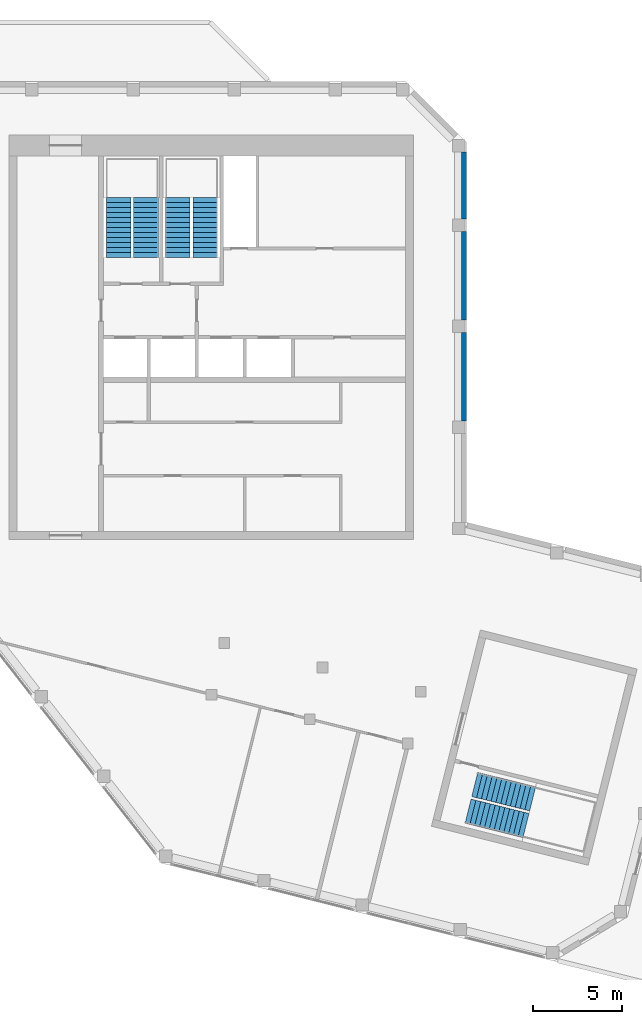
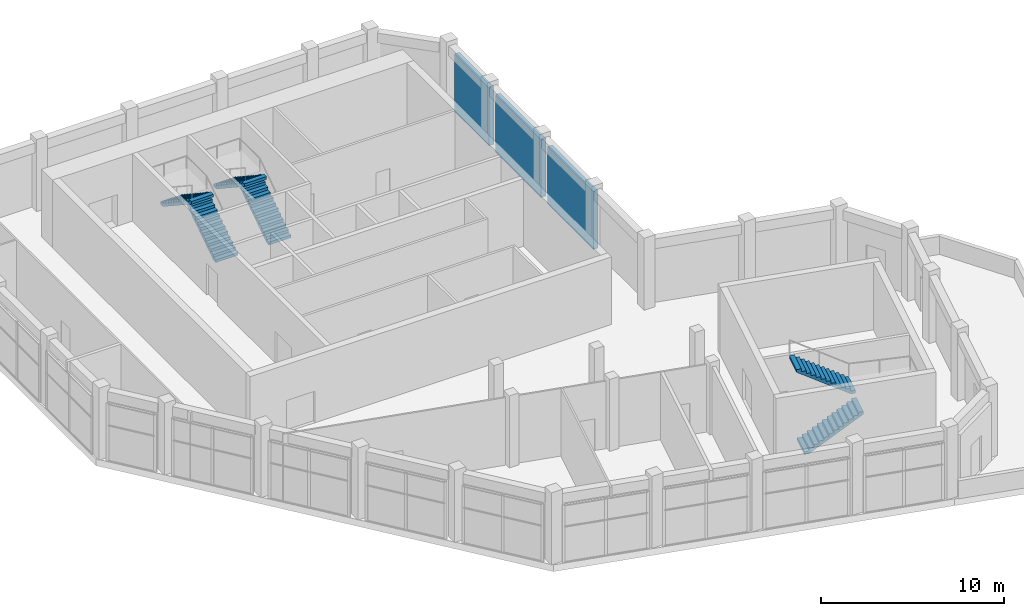
# One storey, part 9 of 10: 6 stair flights, 3 walls, 3 elements without a shape of their own.
"""IFC4 building model written with IfcOpenShell, lengths in metres."""

import ifcopenshell
import ifcopenshell.guid

model = None  # the IFC model being written
_history = None  # IfcOwnerHistory: only IFC2X3 demands one
_inside = {}  # id of a spatial element -> (the spatial element, [elements in it])
_under = {}  # id of a project, library or spatial element -> (it, [spatial elements below it])
_declared = {}  # id of a project -> (the project, [libraries it declares])
_typed = {}  # id of a type object -> (the type object, [elements of that type])
_made_of = {}  # id of a material, layer set ... -> (it, [elements and type objects made of it])


def new_model(schema):
    """Start an empty IFC model of exactly this schema.

    Asked for "IFC4X3", IfcOpenShell would pick the latest addendum, in which some entities
    have other attributes; the version numbers below select the first issue.
    IFC2X3 requires an IfcOwnerHistory on every rooted entity: one is made here for all.
    """
    global model, _history
    if schema == "IFC4X3":
        model = ifcopenshell.file(schema_version=(4, 3, 0, 0))
    else:
        model = ifcopenshell.file(schema=schema)
    _inside.clear()
    _under.clear()
    _declared.clear()
    _typed.clear()
    _made_of.clear()
    _history = None
    if model.schema == "IFC2X3":
        org = make("IfcOrganization", Name="unknown")
        user = make(
            "IfcPersonAndOrganization",
            ThePerson=make("IfcPerson", FamilyName="unknown"),
            TheOrganization=org,
        )
        app = make(
            "IfcApplication",
            ApplicationDeveloper=org,
            Version="unknown",
            ApplicationFullName="unknown",
            ApplicationIdentifier="unknown",
        )
        _history = make(
            "IfcOwnerHistory",
            OwningUser=user,
            OwningApplication=app,
            ChangeAction="ADDED",
            CreationDate=0,
        )
    return model


def make(cls, **values):
    """One entity of the class cls with the attributes given. An attribute that is None is left unset."""
    return model.create_entity(
        cls, **{name: value for name, value in values.items() if value is not None}
    )


def rooted(cls, **values):
    """An entity with a GlobalId (a new one), such as an element, a storey or a relation."""
    return make(cls, GlobalId=ifcopenshell.guid.new(), OwnerHistory=_history, **values)


def si_unit(unit_type, name, prefix=None):
    """IfcSIUnit, for example si_unit("LENGTHUNIT", "METRE", prefix="MILLI")."""
    return make("IfcSIUnit", UnitType=unit_type, Prefix=prefix, Name=name)


def assignment(units):
    """IfcUnitAssignment: the units of a project."""
    return None if units is None else make("IfcUnitAssignment", Units=units)


def point(xyz):
    """IfcCartesianPoint."""
    return None if xyz is None else make("IfcCartesianPoint", Coordinates=xyz)


def direction(xyz):
    """IfcDirection."""
    return None if xyz is None else make("IfcDirection", DirectionRatios=xyz)


def frame(location, z_axis=None, x_axis=None):
    """IfcAxis2Placement3D, a coordinate frame: its origin and axes. An axis left out is left unset."""
    return make(
        "IfcAxis2Placement3D",
        Location=point(location),
        Axis=direction(z_axis),
        RefDirection=direction(x_axis),
    )


def frame_2d(location, x_axis=None):
    """IfcAxis2Placement2D, a coordinate frame in the plane: its origin and x axis."""
    return make(
        "IfcAxis2Placement2D", Location=point(location), RefDirection=direction(x_axis)
    )


def origin():
    """The frame at (0, 0, 0) with its axes left unset."""
    return frame((0.0, 0.0, 0.0))


def place(relative_to, where):
    """IfcLocalPlacement: puts the frame where relative to a parent placement (None: the world)."""
    return make(
        "IfcLocalPlacement", PlacementRelTo=relative_to, RelativePlacement=where
    )


def context(
    kind, dimensions, precision=None, world=None, true_north=None, identifier=None
):
    """IfcGeometricRepresentationContext, for example the 3D "Model" context."""
    return make(
        "IfcGeometricRepresentationContext",
        ContextIdentifier=identifier,
        ContextType=kind,
        CoordinateSpaceDimension=dimensions,
        Precision=precision,
        WorldCoordinateSystem=world,
        TrueNorth=true_north,
    )


def subcontext(parent, identifier, kind, view, scale=None):
    """IfcGeometricRepresentationSubContext, for example "Body" below "Model"."""
    return make(
        "IfcGeometricRepresentationSubContext",
        ContextIdentifier=identifier,
        ContextType=kind,
        ParentContext=parent,
        TargetScale=scale,
        TargetView=view,
    )


def project(units=None, contexts=None):
    """IfcProject with its units and contexts."""
    return rooted(
        "IfcProject",
        Name="project",
        RepresentationContexts=contexts,
        UnitsInContext=assignment(units),
    )


def spatial(cls, under=None, at=None, **own):
    """A site, building, storey or space (cls), placed at a placement, below another one or the project."""
    s = rooted(cls, ObjectPlacement=at, **own)
    if under is not None:
        _under.setdefault(under.id(), (under, []))[1].append(s)
    return s


def polyline(points):
    """IfcPolyline through the points."""
    return make("IfcPolyline", Points=[point(p) for p in points])


def profile(cls, at=None, kind="AREA", **sizes):
    """A parametric profile (cls). Its sizes go by their IFC names, for example OverallWidth=200.0."""
    return make(cls, ProfileType=kind, Position=at, **sizes)


def rectangle(**sizes):
    """IfcRectangleProfileDef."""
    return profile("IfcRectangleProfileDef", **sizes)


def outline(outer, holes=None, kind="AREA"):
    """IfcArbitraryClosedProfileDef: a profile drawn as a closed curve; with holes, ...WithVoids."""
    if holes is None:
        return make("IfcArbitraryClosedProfileDef", ProfileType=kind, OuterCurve=outer)
    return make(
        "IfcArbitraryProfileDefWithVoids",
        ProfileType=kind,
        OuterCurve=outer,
        InnerCurves=holes,
    )


def extrude(swept, where, along, depth):
    """IfcExtrudedAreaSolid: the profile swept, set in the frame where, extruded along a direction by depth."""
    return make(
        "IfcExtrudedAreaSolid",
        SweptArea=swept,
        Position=where,
        ExtrudedDirection=direction(along),
        Depth=depth,
    )


def shape(context_of_items, identifier, shape_type, items):
    """IfcShapeRepresentation: the items that make up one representation, for example the "Body"."""
    return make(
        "IfcShapeRepresentation",
        ContextOfItems=context_of_items,
        RepresentationIdentifier=identifier,
        RepresentationType=shape_type,
        Items=items,
    )


def material(Name=None, Category=None):
    """IfcMaterial."""
    return make("IfcMaterial", Name=Name, Category=Category)


def layer(
    of_material, thickness, ventilated=None, Name=None, Category=None, Priority=None
):
    """IfcMaterialLayer: one layer of a wall or slab, of a material (None: an air gap)."""
    return make(
        "IfcMaterialLayer",
        Material=of_material,
        LayerThickness=thickness,
        IsVentilated=ventilated,
        Name=Name,
        Category=Category,
        Priority=Priority,
    )


def layer_set(layers, Name=None):
    """IfcMaterialLayerSet."""
    return make("IfcMaterialLayerSet", MaterialLayers=layers, LayerSetName=Name)


def made_of(thing, what):
    """Note that an element or type object is made of a material, layer set ...; save() writes the relation."""
    if what is not None:
        _made_of.setdefault(what.id(), (what, []))[1].append(thing)
    return thing


def type_object(cls, material=None, **own):
    """A type object (cls), such as IfcWallType, which elements share."""
    return made_of(rooted(cls, **own), material)


def element(
    cls,
    number,
    at=None,
    inside=None,
    cuts=None,
    type_object=None,
    material=None,
    context=None,
    identifier="Body",
    shape_type=None,
    held_by="IfcProductDefinitionShape",
    body=None,
    shapes=None,
    **own,
):
    """One element of the class cls, such as IfcWall. Its Tag is "e" and its number.

    at: its placement. inside: the storey or other place that contains it. cuts: it is an
    opening in that element (IfcRelVoidsElement). A single representation is given by context,
    identifier, shape_type and body (its items); several are given by shapes. held_by: the class
    of the entity that holds the representations. save() writes the other relations.
    """
    e = rooted(cls, Tag="e%d" % number, ObjectPlacement=at, **own)
    if body is not None:
        shapes = [shape(context, identifier, shape_type, body)]
    if shapes is not None:
        e.Representation = make(held_by, Representations=shapes)
    if inside is not None:
        _inside.setdefault(inside.id(), (inside, []))[1].append(e)
    if cuts is not None:
        rooted(
            "IfcRelVoidsElement", RelatingBuildingElement=cuts, RelatedOpeningElement=e
        )
    if type_object is not None:
        _typed.setdefault(type_object.id(), (type_object, []))[1].append(e)
    return made_of(e, material)


def aggregate(whole, parts):
    """IfcRelAggregates: a whole, such as a stair, and the parts it consists of."""
    return rooted("IfcRelAggregates", RelatingObject=whole, RelatedObjects=parts)


def save(model, path):
    """Write the relations noted so far, then the file.

    IfcRelAggregates (storeys below a building ...), IfcRelContainedInSpatialStructure (elements
    in a storey), IfcRelDefinesByType, IfcRelAssociatesMaterial and IfcRelDeclares: one each for
    every whole, place, type object, material and project.
    """
    for whole, parts in _under.values():
        aggregate(whole, parts)
    for where, things in _inside.values():
        rooted(
            "IfcRelContainedInSpatialStructure",
            RelatedElements=things,
            RelatingStructure=where,
        )
    for kind, things in _typed.values():
        rooted("IfcRelDefinesByType", RelatedObjects=things, RelatingType=kind)
    for what, things in _made_of.values():
        rooted("IfcRelAssociatesMaterial", RelatedObjects=things, RelatingMaterial=what)
    for by, libraries in _declared.values():
        rooted("IfcRelDeclares", RelatingContext=by, RelatedDefinitions=libraries)
    model.write(path)


model = new_model("IFC4")

# Units and contexts
model_context = context("Model", 3, precision=1e-05, world=origin(), true_north=direction((0.0, 1.0)))
body_context = subcontext(model_context, "Body", "Model", "MODEL_VIEW")
ifc_project = project(units=[si_unit("LENGTHUNIT", "METRE"), si_unit("AREAUNIT", "SQUARE_METRE"), si_unit("VOLUMEUNIT", "CUBIC_METRE"), si_unit("PLANEANGLEUNIT", "RADIAN"), si_unit("MASSUNIT", "GRAM", prefix="KILO")], contexts=[model_context])

# Site, building, storey
site_placement = place(None, origin())
site = spatial("IfcSite", under=ifc_project, at=site_placement, CompositionType="ELEMENT")
building_placement = place(site_placement, origin())
building = spatial("IfcBuilding", under=site, at=building_placement, Name="Meshkara Civic Tower", CompositionType="ELEMENT")
storey_placement = place(building_placement, frame((0.0, 0.0, 419.39990234375)))
storey = spatial("IfcBuildingStorey", under=building, at=storey_placement, Name="L96 Crown", CompositionType="ELEMENT", Elevation=419.39990234375)

# Walls
ifc_material_1 = material(Name="Insulated infill panel with bronze anodised aluminium cladding", Category="aluminium")
ifc_layer = layer(ifc_material_1, 0.300048828125)
ifc_layer_set = layer_set([ifc_layer], Name="CROWN WALL 300")
wall_type = type_object("IfcWallType", Name="CROWN WALL 300", PredefinedType="SOLIDWALL", material=ifc_layer_set)
for number, where, z_axis, x_axis, name in (
    (1, (33.64990234375, 20.76904296875, 0.0), (0.0, 0.0, 1.0), (0.0, 1.0, 0.0), "Crown external wall"),
    (2, (33.64990234375, 26.468994140625, 0.0), (0.0, 0.0, 1.0), (0.0, 1.0, 0.0), "Crown external wall"),
):
    element("IfcWall", number, at=place(storey_placement, frame(where, z_axis=z_axis, x_axis=x_axis)), inside=storey, type_object=wall_type, Name=name, PredefinedType="SOLIDWALL", context=body_context, shape_type="SweptSolid", body=[
        extrude(rectangle(XDim=5.0, YDim=0.300048828125, at=frame_2d((2.5, 0.0))), origin(), (0.0, 0.0, 1.0), 3.85009765625),
    ])
wall_placement = place(storey_placement, frame((33.64990234375, 32.1689453125, 0.0), z_axis=(0.0, 0.0, 1.0), x_axis=(0.0, 1.0, 0.0)))
element("IfcWall", 3, at=wall_placement, inside=storey, type_object=wall_type, Name="Crown external wall", PredefinedType="SOLIDWALL", context=body_context, shape_type="SweptSolid", body=[
    extrude(rectangle(XDim=3.775146484375, YDim=0.300048828125, at=frame_2d((1.8876953125, 0.0))), origin(), (0.0, 0.0, 1.0), 3.85009765625),
])

# Stair, stair flights
ifc_material_2 = material(Name="Precast concrete C40/50", Category="concrete")
stair_type = type_object("IfcStairType", Name="Exit stair half-turn 26 risers precast", PredefinedType="HALF_TURN_STAIR", material=ifc_material_2)
stair_1_placement = place(storey_placement, origin())
stair_1 = element("IfcStair", 4, at=stair_1_placement, inside=storey, type_object=stair_type, Name="L96 Crown exit stair 1", PredefinedType="HALF_TURN_STAIR")
ifc_material_3 = material(Name="Precast concrete C40/50", Category="concrete")
stair_flight_type = type_object("IfcStairFlightType", Name="Exit stair flight 13 risers precast", PredefinedType="STRAIGHT", material=ifc_material_3)
stair_flight_1_placement = place(storey_placement, frame((15.72509765625, 30.0, 0.0), z_axis=(0.0, 0.0, 1.0), x_axis=(0.0, 1.0, 0.0)))
stair_flight_1 = element("IfcStairFlight", 5, at=stair_flight_1_placement, type_object=stair_flight_type, Name="ST1 flight 1", NumberOfRisers=13, NumberOfTreads=12, PredefinedType="STRAIGHT", RiserHeight=0.184615385, TreadLength=0.28, context=body_context, shape_type="SweptSolid", body=[
    extrude(outline(polyline([(0.0, 0.0), (0.0, 0.1845703125), (0.280029296875, 0.1845703125), (0.280029296875, 0.369140625), (0.56005859375, 0.369140625), (0.56005859375, 0.553955078125), (0.840087890625, 0.553955078125), (0.840087890625, 0.738525390625), (1.1201171875, 0.738525390625), (1.1201171875, 0.923095703125), (1.39990234375, 0.923095703125), (1.39990234375, 1.107666015625), (1.679931640625, 1.107666015625), (1.679931640625, 1.292236328125), (1.9599609375, 1.292236328125), (1.9599609375, 1.476806640625), (2.239990234375, 1.476806640625), (2.239990234375, 1.66162109375), (2.52001953125, 1.66162109375), (2.52001953125, 1.84619140625), (2.800048828125, 1.84619140625), (2.800048828125, 2.03076171875), (3.080078125, 2.03076171875), (3.080078125, 2.21533203125), (3.360107421875, 2.21533203125), (3.360107421875, 2.39990234375), (3.360107421875, 2.035888671875), (0.272216796875, 0.0), (0.0, 0.0)])), frame((0.0, 0.699951171875, 0.0), z_axis=(0.0, -1.0, 0.0), x_axis=(1.0, 0.0, 0.0)), (0.0, 0.0, 1.0), 1.39990234375),
])
stair_flight_2_placement = place(storey_placement, frame((14.175048828125, 33.360107421875, 2.400146484375), z_axis=(0.0, 0.0, 1.0), x_axis=(0.0, -1.0, 0.0)))
stair_flight_2 = element("IfcStairFlight", 6, at=stair_flight_2_placement, type_object=stair_flight_type, Name="ST1 flight 2", NumberOfRisers=13, NumberOfTreads=12, PredefinedType="STRAIGHT", RiserHeight=0.184615385, TreadLength=0.28, context=body_context, shape_type="SweptSolid", body=[
    extrude(outline(polyline([(0.0, 0.0), (0.0, 0.1845703125), (0.280029296875, 0.1845703125), (0.280029296875, 0.369140625), (0.56005859375, 0.369140625), (0.56005859375, 0.553955078125), (0.840087890625, 0.553955078125), (0.840087890625, 0.738525390625), (1.1201171875, 0.738525390625), (1.1201171875, 0.923095703125), (1.39990234375, 0.923095703125), (1.39990234375, 1.107666015625), (1.679931640625, 1.107666015625), (1.679931640625, 1.292236328125), (1.9599609375, 1.292236328125), (1.9599609375, 1.476806640625), (2.239990234375, 1.476806640625), (2.239990234375, 1.66162109375), (2.52001953125, 1.66162109375), (2.52001953125, 1.84619140625), (2.800048828125, 1.84619140625), (2.800048828125, 2.03076171875), (3.080078125, 2.03076171875), (3.080078125, 2.21533203125), (3.360107421875, 2.21533203125), (3.360107421875, 2.39990234375), (3.360107421875, 2.035888671875), (0.272216796875, 0.0), (0.0, 0.0)])), frame((0.0, 0.699951171875, 0.0), z_axis=(0.0, -1.0, 0.0), x_axis=(1.0, 0.0, 0.0)), (0.0, 0.0, 1.0), 1.39990234375),
])
aggregate(stair_1, [stair_flight_1, stair_flight_2])

stair_2_placement = place(storey_placement, origin())
stair_2 = element("IfcStair", 7, at=stair_2_placement, inside=storey, type_object=stair_type, Name="L96 Crown exit stair 2", PredefinedType="HALF_TURN_STAIR")
stair_flight_3_placement = place(storey_placement, frame((19.074951171875, 30.0, 0.0), z_axis=(0.0, 0.0, 1.0), x_axis=(0.0, 1.0, 0.0)))
stair_flight_3 = element("IfcStairFlight", 8, at=stair_flight_3_placement, type_object=stair_flight_type, Name="ST2 flight 1", NumberOfRisers=13, NumberOfTreads=12, PredefinedType="STRAIGHT", RiserHeight=0.184615385, TreadLength=0.28, context=body_context, shape_type="SweptSolid", body=[
    extrude(outline(polyline([(0.0, 0.0), (0.0, 0.1845703125), (0.280029296875, 0.1845703125), (0.280029296875, 0.369140625), (0.56005859375, 0.369140625), (0.56005859375, 0.553955078125), (0.840087890625, 0.553955078125), (0.840087890625, 0.738525390625), (1.1201171875, 0.738525390625), (1.1201171875, 0.923095703125), (1.39990234375, 0.923095703125), (1.39990234375, 1.107666015625), (1.679931640625, 1.107666015625), (1.679931640625, 1.292236328125), (1.9599609375, 1.292236328125), (1.9599609375, 1.476806640625), (2.239990234375, 1.476806640625), (2.239990234375, 1.66162109375), (2.52001953125, 1.66162109375), (2.52001953125, 1.84619140625), (2.800048828125, 1.84619140625), (2.800048828125, 2.03076171875), (3.080078125, 2.03076171875), (3.080078125, 2.21533203125), (3.360107421875, 2.21533203125), (3.360107421875, 2.39990234375), (3.360107421875, 2.035888671875), (0.272216796875, 0.0), (0.0, 0.0)])), frame((0.0, 0.699951171875, 0.0), z_axis=(0.0, -1.0, 0.0), x_axis=(1.0, 0.0, 0.0)), (0.0, 0.0, 1.0), 1.39990234375),
])
stair_flight_4_placement = place(storey_placement, frame((17.52490234375, 33.360107421875, 2.400146484375), z_axis=(0.0, 0.0, 1.0), x_axis=(0.0, -1.0, 0.0)))
stair_flight_4 = element("IfcStairFlight", 9, at=stair_flight_4_placement, type_object=stair_flight_type, Name="ST2 flight 2", NumberOfRisers=13, NumberOfTreads=12, PredefinedType="STRAIGHT", RiserHeight=0.184615385, TreadLength=0.28, context=body_context, shape_type="SweptSolid", body=[
    extrude(outline(polyline([(0.0, 0.0), (0.0, 0.1845703125), (0.280029296875, 0.1845703125), (0.280029296875, 0.369140625), (0.56005859375, 0.369140625), (0.56005859375, 0.553955078125), (0.840087890625, 0.553955078125), (0.840087890625, 0.738525390625), (1.1201171875, 0.738525390625), (1.1201171875, 0.923095703125), (1.39990234375, 0.923095703125), (1.39990234375, 1.107666015625), (1.679931640625, 1.107666015625), (1.679931640625, 1.292236328125), (1.9599609375, 1.292236328125), (1.9599609375, 1.476806640625), (2.239990234375, 1.476806640625), (2.239990234375, 1.66162109375), (2.52001953125, 1.66162109375), (2.52001953125, 1.84619140625), (2.800048828125, 1.84619140625), (2.800048828125, 2.03076171875), (3.080078125, 2.03076171875), (3.080078125, 2.21533203125), (3.360107421875, 2.21533203125), (3.360107421875, 2.39990234375), (3.360107421875, 2.035888671875), (0.272216796875, 0.0), (0.0, 0.0)])), frame((0.0, 0.699951171875, 0.0), z_axis=(0.0, -1.0, 0.0), x_axis=(1.0, 0.0, 0.0)), (0.0, 0.0, 1.0), 1.39990234375),
])
aggregate(stair_2, [stair_flight_3, stair_flight_4])

stair_3_placement = place(storey_placement, origin())
stair_3 = element("IfcStair", 10, at=stair_3_placement, inside=storey, type_object=stair_type, Name="L96 Crown exit stair B from L96 Crown", PredefinedType="HALF_TURN_STAIR")
stair_flight_5_placement = place(storey_placement, frame((33.885009765625, -1.20751953125, 0.0), z_axis=(0.0, 0.0, 1.0), x_axis=(0.970552679811, -0.240888969675, 0.0)))
stair_flight_5 = element("IfcStairFlight", 11, at=stair_flight_5_placement, type_object=stair_flight_type, Name="ESB9 flight 1", NumberOfRisers=13, NumberOfTreads=12, PredefinedType="STRAIGHT", RiserHeight=0.184615385, TreadLength=0.28, context=body_context, shape_type="SweptSolid", body=[
    extrude(outline(polyline([(0.0, 0.0), (0.0, 0.1845703125), (0.280029296875, 0.1845703125), (0.280029296875, 0.369140625), (0.56005859375, 0.369140625), (0.56005859375, 0.553955078125), (0.840087890625, 0.553955078125), (0.840087890625, 0.738525390625), (1.1201171875, 0.738525390625), (1.1201171875, 0.923095703125), (1.39990234375, 0.923095703125), (1.39990234375, 1.107666015625), (1.679931640625, 1.107666015625), (1.679931640625, 1.292236328125), (1.9599609375, 1.292236328125), (1.9599609375, 1.476806640625), (2.239990234375, 1.476806640625), (2.239990234375, 1.66162109375), (2.52001953125, 1.66162109375), (2.52001953125, 1.84619140625), (2.800048828125, 1.84619140625), (2.800048828125, 2.03076171875), (3.080078125, 2.03076171875), (3.080078125, 2.21533203125), (3.360107421875, 2.21533203125), (3.360107421875, 2.39990234375), (3.360107421875, 2.035888671875), (0.272216796875, 0.0), (0.0, 0.0)])), frame((0.0, 0.699951171875, 0.0), z_axis=(0.0, -1.0, 0.0), x_axis=(1.0, 0.0, 0.0)), (0.0, 0.0, 1.0), 1.39990234375),
])
stair_flight_6_placement = place(storey_placement, frame((37.51953125, -0.512451171875, 2.400146484375), z_axis=(0.0, 0.0, 1.0), x_axis=(-0.970552679811, 0.240888969675, 0.0)))
stair_flight_6 = element("IfcStairFlight", 12, at=stair_flight_6_placement, type_object=stair_flight_type, Name="ESB9 flight 2", NumberOfRisers=13, NumberOfTreads=12, PredefinedType="STRAIGHT", RiserHeight=0.184615385, TreadLength=0.28, context=body_context, shape_type="SweptSolid", body=[
    extrude(outline(polyline([(0.0, 0.0), (0.0, 0.1845703125), (0.280029296875, 0.1845703125), (0.280029296875, 0.369140625), (0.56005859375, 0.369140625), (0.56005859375, 0.553955078125), (0.840087890625, 0.553955078125), (0.840087890625, 0.738525390625), (1.1201171875, 0.738525390625), (1.1201171875, 0.923095703125), (1.39990234375, 0.923095703125), (1.39990234375, 1.107666015625), (1.679931640625, 1.107666015625), (1.679931640625, 1.292236328125), (1.9599609375, 1.292236328125), (1.9599609375, 1.476806640625), (2.239990234375, 1.476806640625), (2.239990234375, 1.66162109375), (2.52001953125, 1.66162109375), (2.52001953125, 1.84619140625), (2.800048828125, 1.84619140625), (2.800048828125, 2.03076171875), (3.080078125, 2.03076171875), (3.080078125, 2.21533203125), (3.360107421875, 2.21533203125), (3.360107421875, 2.39990234375), (3.360107421875, 2.035888671875), (0.272216796875, 0.0), (0.0, 0.0)])), frame((0.0, 0.699951171875, 0.0), z_axis=(0.0, -1.0, 0.0), x_axis=(1.0, 0.0, 0.0)), (0.0, 0.0, 1.0), 1.39990234375),
])
aggregate(stair_3, [stair_flight_5, stair_flight_6])

save(model, "model.ifc")
